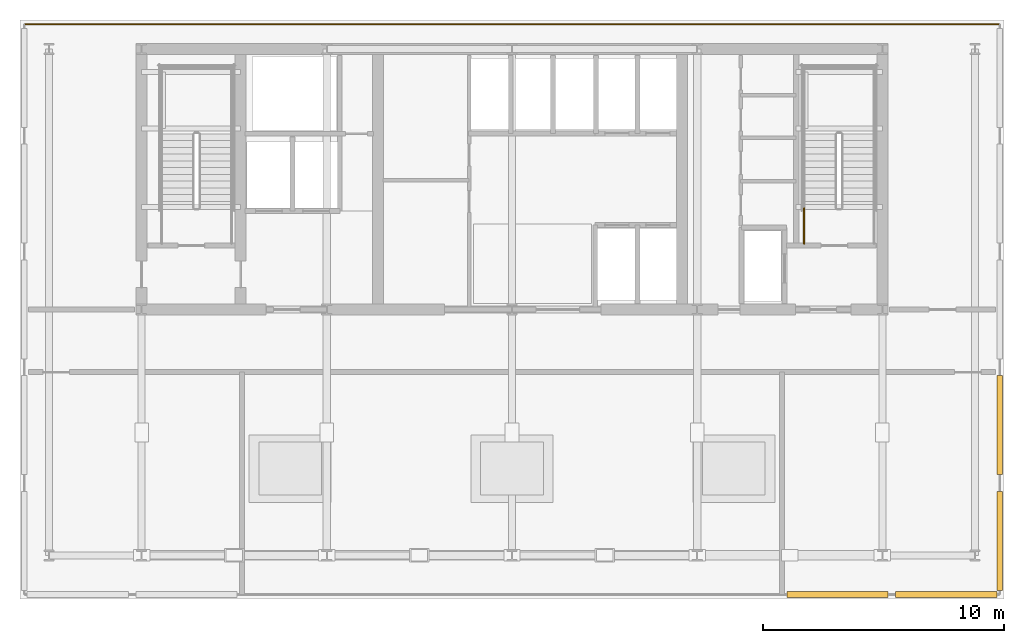
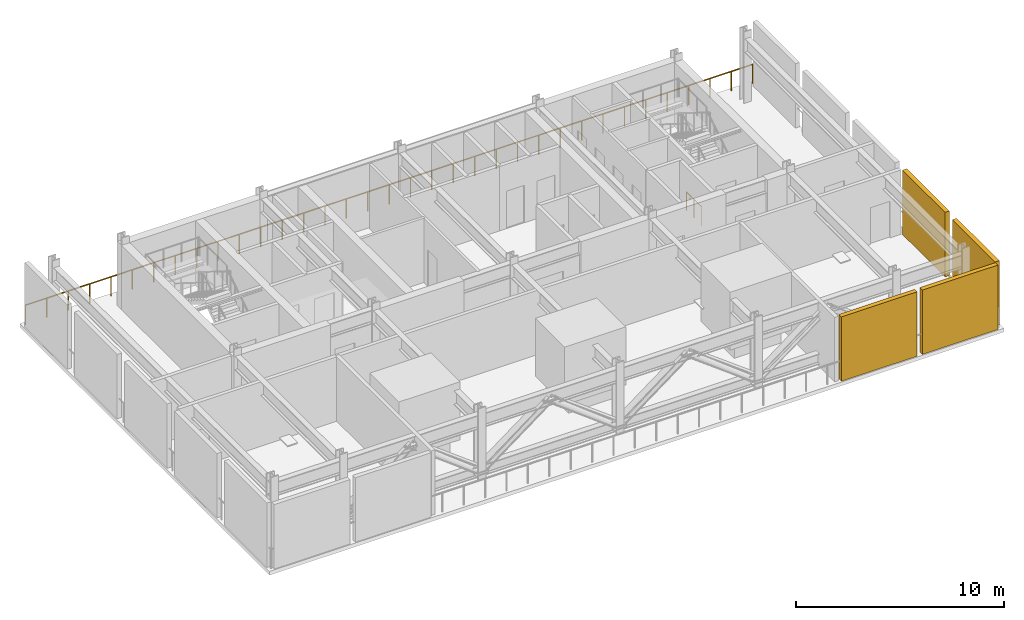
# One storey, part 7 of 8: 4 shading devices, 2 railings.
"""IFC4 building model written with IfcOpenShell, lengths in metres."""

from ifc_helpers import new_model, si_unit, direction, frame, origin, origin_2d, place, context, subcontext, project, spatial, rectangle, circle, extrude, material, layer, layer_set, type_object, element, save


model = new_model("IFC4")

# Units and contexts
model_context = context("Model", 3, precision=1e-05, world=origin(), true_north=direction((0.0, 1.0)))
body_context = subcontext(model_context, "Body", "Model", "MODEL_VIEW")
ifc_project = project(units=[si_unit("LENGTHUNIT", "METRE"), si_unit("AREAUNIT", "SQUARE_METRE"), si_unit("VOLUMEUNIT", "CUBIC_METRE"), si_unit("PLANEANGLEUNIT", "RADIAN"), si_unit("MASSUNIT", "GRAM", prefix="KILO")], contexts=[model_context])

# Site, building, storey
site_placement = place(None, origin())
site = spatial("IfcSite", under=ifc_project, at=site_placement, CompositionType="ELEMENT")
building_placement = place(site_placement, origin())
building = spatial("IfcBuilding", under=site, at=building_placement, Name="Yelkora Congress Tower", CompositionType="ELEMENT")
storey_placement = place(building_placement, frame((0.0, 0.0, 196.10009765625)))
storey = spatial("IfcBuildingStorey", under=building, at=storey_placement, Name="L54", CompositionType="ELEMENT", Elevation=196.10009765625)

# Railings
ifc_material_1 = material(Name="Stainless steel 316L and laminated glass infill", Category="steel")
ifc_layer_1 = layer(ifc_material_1, 0.080078125)
ifc_layer_set_1 = layer_set([ifc_layer_1], Name="Stainless steel 316L and laminated glass infill")
railing_type_1 = type_object("IfcRailingType", Name="RAIL-EXT-GUARD-1150", PredefinedType="GUARDRAIL", material=ifc_layer_set_1)
railing_1_placement = place(storey_placement, frame((18.199951171875, 47.219970703125, 0.0)))
element("IfcRailing", 1, at=railing_1_placement, inside=storey, type_object=railing_type_1, Name="L54 North Perimeter Guardrail", PredefinedType="GUARDRAIL", context=body_context, shape_type="SweptSolid", body=[
    extrude(circle(Radius=0.02392578125, at=origin_2d()), frame((0.0, 0.0, 1.1259765625), z_axis=(1.0, 0.0, 0.0), x_axis=(0.0, 1.0, 0.0)), (0.0, 0.0, 1.0), 40.400146484375),
    extrude(circle(Radius=0.02099609375, at=origin_2d()), origin(), (0.0, 0.0, 1.0), 1.101806640625),
    extrude(circle(Radius=0.02099609375, at=origin_2d()), frame((1.188232421875, 0.0, 0.0)), (0.0, 0.0, 1.0), 1.101806640625),
    extrude(circle(Radius=0.02099609375, at=origin_2d()), frame((2.37646484375, 0.0, 0.0)), (0.0, 0.0, 1.0), 1.101806640625),
    extrude(circle(Radius=0.02099609375, at=origin_2d()), frame((3.564697265625, 0.0, 0.0)), (0.0, 0.0, 1.0), 1.101806640625),
    extrude(circle(Radius=0.02099609375, at=origin_2d()), frame((4.7529296875, 0.0, 0.0)), (0.0, 0.0, 1.0), 1.101806640625),
    extrude(circle(Radius=0.02099609375, at=origin_2d()), frame((5.941162109375, 0.0, 0.0)), (0.0, 0.0, 1.0), 1.101806640625),
    extrude(circle(Radius=0.02099609375, at=origin_2d()), frame((7.12939453125, 0.0, 0.0)), (0.0, 0.0, 1.0), 1.101806640625),
    extrude(circle(Radius=0.02099609375, at=origin_2d()), frame((8.317626953125, 0.0, 0.0)), (0.0, 0.0, 1.0), 1.101806640625),
    extrude(circle(Radius=0.02099609375, at=origin_2d()), frame((9.505859375, 0.0, 0.0)), (0.0, 0.0, 1.0), 1.101806640625),
    extrude(circle(Radius=0.02099609375, at=origin_2d()), frame((10.694091796875, 0.0, 0.0)), (0.0, 0.0, 1.0), 1.101806640625),
    extrude(circle(Radius=0.02099609375, at=origin_2d()), frame((11.88232421875, 0.0, 0.0)), (0.0, 0.0, 1.0), 1.101806640625),
    extrude(circle(Radius=0.02099609375, at=origin_2d()), frame((13.070556640625, 0.0, 0.0)), (0.0, 0.0, 1.0), 1.101806640625),
    extrude(circle(Radius=0.02099609375, at=origin_2d()), frame((14.2587890625, 0.0, 0.0)), (0.0, 0.0, 1.0), 1.101806640625),
    extrude(circle(Radius=0.02099609375, at=origin_2d()), frame((15.447021484375, 0.0, 0.0)), (0.0, 0.0, 1.0), 1.101806640625),
    extrude(circle(Radius=0.02099609375, at=origin_2d()), frame((16.63525390625, 0.0, 0.0)), (0.0, 0.0, 1.0), 1.101806640625),
    extrude(circle(Radius=0.02099609375, at=origin_2d()), frame((17.823486328125, 0.0, 0.0)), (0.0, 0.0, 1.0), 1.101806640625),
    extrude(circle(Radius=0.02099609375, at=origin_2d()), frame((19.01171875, 0.0, 0.0)), (0.0, 0.0, 1.0), 1.101806640625),
    extrude(circle(Radius=0.02099609375, at=origin_2d()), frame((20.2001953125, 0.0, 0.0)), (0.0, 0.0, 1.0), 1.101806640625),
    extrude(circle(Radius=0.02099609375, at=origin_2d()), frame((21.388427734375, 0.0, 0.0)), (0.0, 0.0, 1.0), 1.101806640625),
    extrude(circle(Radius=0.02099609375, at=origin_2d()), frame((22.57666015625, 0.0, 0.0)), (0.0, 0.0, 1.0), 1.101806640625),
    extrude(circle(Radius=0.02099609375, at=origin_2d()), frame((23.764892578125, 0.0, 0.0)), (0.0, 0.0, 1.0), 1.101806640625),
    extrude(circle(Radius=0.02099609375, at=origin_2d()), frame((24.953125, 0.0, 0.0)), (0.0, 0.0, 1.0), 1.101806640625),
    extrude(circle(Radius=0.02099609375, at=origin_2d()), frame((26.141357421875, 0.0, 0.0)), (0.0, 0.0, 1.0), 1.101806640625),
    extrude(circle(Radius=0.02099609375, at=origin_2d()), frame((27.32958984375, 0.0, 0.0)), (0.0, 0.0, 1.0), 1.101806640625),
    extrude(circle(Radius=0.02099609375, at=origin_2d()), frame((28.517822265625, 0.0, 0.0)), (0.0, 0.0, 1.0), 1.101806640625),
    extrude(circle(Radius=0.02099609375, at=origin_2d()), frame((29.7060546875, 0.0, 0.0)), (0.0, 0.0, 1.0), 1.101806640625),
    extrude(circle(Radius=0.02099609375, at=origin_2d()), frame((30.894287109375, 0.0, 0.0)), (0.0, 0.0, 1.0), 1.101806640625),
    extrude(circle(Radius=0.02099609375, at=origin_2d()), frame((32.08251953125, 0.0, 0.0)), (0.0, 0.0, 1.0), 1.101806640625),
    extrude(circle(Radius=0.02099609375, at=origin_2d()), frame((33.270751953125, 0.0, 0.0)), (0.0, 0.0, 1.0), 1.101806640625),
    extrude(circle(Radius=0.02099609375, at=origin_2d()), frame((34.458984375, 0.0, 0.0)), (0.0, 0.0, 1.0), 1.101806640625),
    extrude(circle(Radius=0.02099609375, at=origin_2d()), frame((35.647216796875, 0.0, 0.0)), (0.0, 0.0, 1.0), 1.101806640625),
    extrude(circle(Radius=0.02099609375, at=origin_2d()), frame((36.83544921875, 0.0, 0.0)), (0.0, 0.0, 1.0), 1.101806640625),
    extrude(circle(Radius=0.02099609375, at=origin_2d()), frame((38.023681640625, 0.0, 0.0)), (0.0, 0.0, 1.0), 1.101806640625),
    extrude(circle(Radius=0.02099609375, at=origin_2d()), frame((39.2119140625, 0.0, 0.0)), (0.0, 0.0, 1.0), 1.101806640625),
    extrude(circle(Radius=0.02099609375, at=origin_2d()), frame((40.400146484375, 0.0, 0.0)), (0.0, 0.0, 1.0), 1.101806640625),
])
ifc_material_2 = material(Name="Painted galvanised steel stair well guard with vertical infill", Category="steel")
ifc_layer_2 = layer(ifc_material_2, 0.06005859375)
ifc_layer_set_2 = layer_set([ifc_layer_2], Name="Painted galvanised steel stair well guard with vertical infill")
railing_type_2 = type_object("IfcRailingType", Name="RAIL-STAIR-GUARD-1120", PredefinedType="GUARDRAIL", material=ifc_layer_set_2)
railing_2_placement = place(storey_placement, frame((50.510009765625, 38.1201171875, 0.0)))
element("IfcRailing", 2, at=railing_2_placement, inside=storey, type_object=railing_type_2, Name="ST-02 L54 Stair Well Guardrail 9", PredefinedType="GUARDRAIL", context=body_context, shape_type="SweptSolid", body=[
    extrude(circle(Radius=0.02392578125, at=origin_2d()), frame((0.0, 0.0, 1.09619140625), z_axis=(0.0, 1.0, 0.0), x_axis=(-1.0, 0.0, 0.0)), (0.0, 0.0, 1.0), 1.47998046875),
    extrude(circle(Radius=0.02099609375, at=origin_2d()), origin(), (0.0, 0.0, 1.0), 1.072021484375),
    extrude(circle(Radius=0.02099609375, at=origin_2d()), frame((0.0, 0.739990234375, 0.0)), (0.0, 0.0, 1.0), 1.072021484375),
    extrude(circle(Radius=0.02099609375, at=origin_2d()), frame((0.0, 1.47998046875, 0.0)), (0.0, 0.0, 1.0), 1.072021484375),
])

# Shading devices
ifc_material_3 = material(Name="Perforated anodised aluminium louvre", Category="aluminium")
ifc_layer_3 = layer(ifc_material_3, 3.39990234375)
ifc_layer_set_3 = layer_set([ifc_layer_3], Name="Perforated anodised aluminium louvre")
shading_device_type = type_object("IfcShadingDeviceType", Name="SHD-LOUVRE-WIND", PredefinedType="JALOUSIE", material=ifc_layer_set_3)
for number, where, z_axis, x_axis, name in (
    (3, (58.6201171875, 25.800048828125, 0.0), (0.0, 0.0, 1.0), (1.0, 0.0, 0.0), "L54 Acoustic Wind-Floor Louvre Screen E1"),
    (4, (58.6201171875, 30.60009765625, 0.0), (0.0, 0.0, 1.0), (1.0, 0.0, 0.0), "L54 Acoustic Wind-Floor Louvre Screen E2"),
):
    element("IfcShadingDevice", number, at=place(storey_placement, frame(where, z_axis=z_axis, x_axis=x_axis)), inside=storey, type_object=shading_device_type, Name=name, PredefinedType="JALOUSIE", context=body_context, shape_type="SweptSolid", body=[
        extrude(rectangle(XDim=0.239990234375, YDim=4.10009765625, at=origin_2d()), origin(), (0.0, 0.0, 1.0), 3.780029296875),
    ])
for number, where, z_axis, x_axis, name in (
    (5, (51.89990234375, 23.580078125, 0.0), (0.0, 0.0, 1.0), (1.0, 0.0, 0.0), "L54 South Blow-Through Wind Louvre 8"),
    (6, (56.39990234375, 23.580078125, 0.0), (0.0, 0.0, 1.0), (1.0, 0.0, 0.0), "L54 South Blow-Through Wind Louvre 9"),
):
    element("IfcShadingDevice", number, at=place(storey_placement, frame(where, z_axis=z_axis, x_axis=x_axis)), inside=storey, type_object=shading_device_type, Name=name, PredefinedType="JALOUSIE", context=body_context, shape_type="SweptSolid", body=[
        extrude(rectangle(XDim=4.199951171875, YDim=0.239990234375, at=origin_2d()), origin(), (0.0, 0.0, 1.0), 3.780029296875),
    ])

save(model, "model.ifc")
